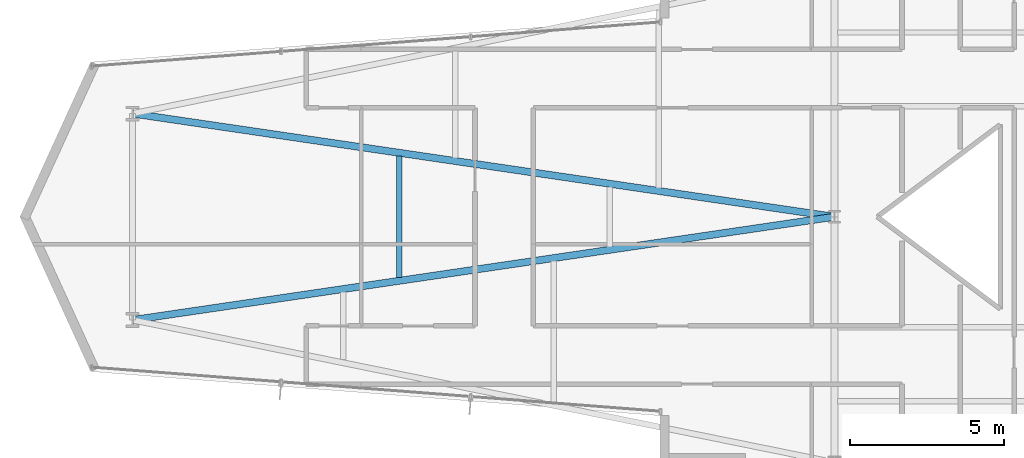
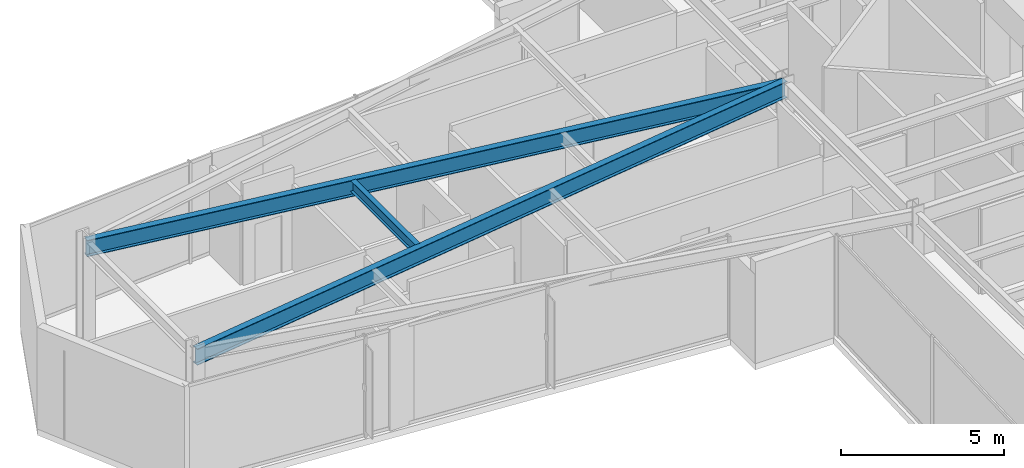
# One storey, part 7 of 30: 3 beams.
"""IFC4 building model written with IfcOpenShell, lengths in metres."""

from ifc_helpers import new_model, si_unit, direction, frame, origin, origin_2d, place, context, subcontext, project, spatial, i_section, extrude, material, material_profile, profile_set, type_object, element, save


model = new_model("IFC4")

# Units and contexts
model_context = context("Model", 3, precision=1e-05, world=origin(), true_north=direction((0.0, 1.0)))
body_context = subcontext(model_context, "Body", "Model", "MODEL_VIEW")
ifc_project = project(units=[si_unit("LENGTHUNIT", "METRE"), si_unit("AREAUNIT", "SQUARE_METRE"), si_unit("VOLUMEUNIT", "CUBIC_METRE"), si_unit("PLANEANGLEUNIT", "RADIAN"), si_unit("MASSUNIT", "GRAM", prefix="KILO")], contexts=[model_context])

# Site, building, storey
site_placement = place(None, origin())
site = spatial("IfcSite", under=ifc_project, at=site_placement, CompositionType="ELEMENT")
building_placement = place(site_placement, origin())
building = spatial("IfcBuilding", under=site, at=building_placement, Name="Veymaron Broadcast Tower", CompositionType="ELEMENT")
storey_placement = place(building_placement, frame((0.0, 0.0, 54.0)))
storey = spatial("IfcBuildingStorey", under=building, at=storey_placement, Name="L11", CompositionType="ELEMENT", Elevation=54.0)

# Beams
ifc_material = material(Name="Structural steel ASTM A992 Gr 50", Category="steel")
ifc_material_profile_1 = material_profile(ifc_material, i_section(OverallWidth=0.22998046875, OverallDepth=0.616943359375, WebThickness=0.01318359375, FlangeThickness=0.022216796875, at=origin_2d()), Name="W610X140")
ifc_profile_set_1 = profile_set([ifc_material_profile_1], Name="Structural steel ASTM A992 Gr 50")
beam_type_1 = type_object("IfcBeamType", Name="BM-FG1", PredefinedType="BEAM", material=ifc_profile_set_1)
for number, where, z_axis, x_axis, name in (
    (1, (8.35205078125, 20.639892578125, 3.50146484375), (0.989358374471, 0.14549916448, 0.0), (-0.14549916448, 0.989358374471, 0.0), "L11 primary structural floor girder"),
    (2, (8.35205078125, 27.360107421875, 3.50146484375), (0.989358374471, -0.14549916448, 0.0), (0.14549916448, 0.989358374471, 0.0), "L11 primary structural floor girder"),
):
    element("IfcBeam", number, at=place(storey_placement, frame(where, z_axis=z_axis, x_axis=x_axis)), inside=storey, type_object=beam_type_1, Name=name, PredefinedType="BEAM", context=body_context, shape_type="SweptSolid", body=[
        extrude(i_section(OverallWidth=0.22998046875, OverallDepth=0.616943359375, WebThickness=0.01318359375, FlangeThickness=0.022216796875, at=origin_2d()), origin(), (0.0, 0.0, 1.0), 23.09375),
    ])
ifc_material_profile_2 = material_profile(ifc_material, i_section(OverallWidth=0.177978515625, OverallDepth=0.406982421875, WebThickness=0.0078125, FlangeThickness=0.0126953125, at=origin_2d()), Name="W410X60")
ifc_profile_set_2 = profile_set([ifc_material_profile_2], Name="Structural steel ASTM A992 Gr 50")
beam_type_2 = type_object("IfcBeamType", Name="BM-JS1", PredefinedType="JOIST", material=ifc_profile_set_2)
beam_placement = place(storey_placement, frame((17.0341796875, 22.016845703125, 3.6064453125), z_axis=(0.0, 1.0, 0.0), x_axis=(-1.0, 0.0, 0.0)))
element("IfcBeam", 3, at=beam_placement, inside=storey, type_object=beam_type_2, Name="L11 Arm-A secondary joist 1M", PredefinedType="JOIST", context=body_context, shape_type="SweptSolid", body=[
    extrude(i_section(OverallWidth=0.177978515625, OverallDepth=0.406982421875, WebThickness=0.0078125, FlangeThickness=0.0126953125, at=origin_2d()), origin(), (0.0, 0.0, 1.0), 3.96630859375),
])

save(model, "model.ifc")
